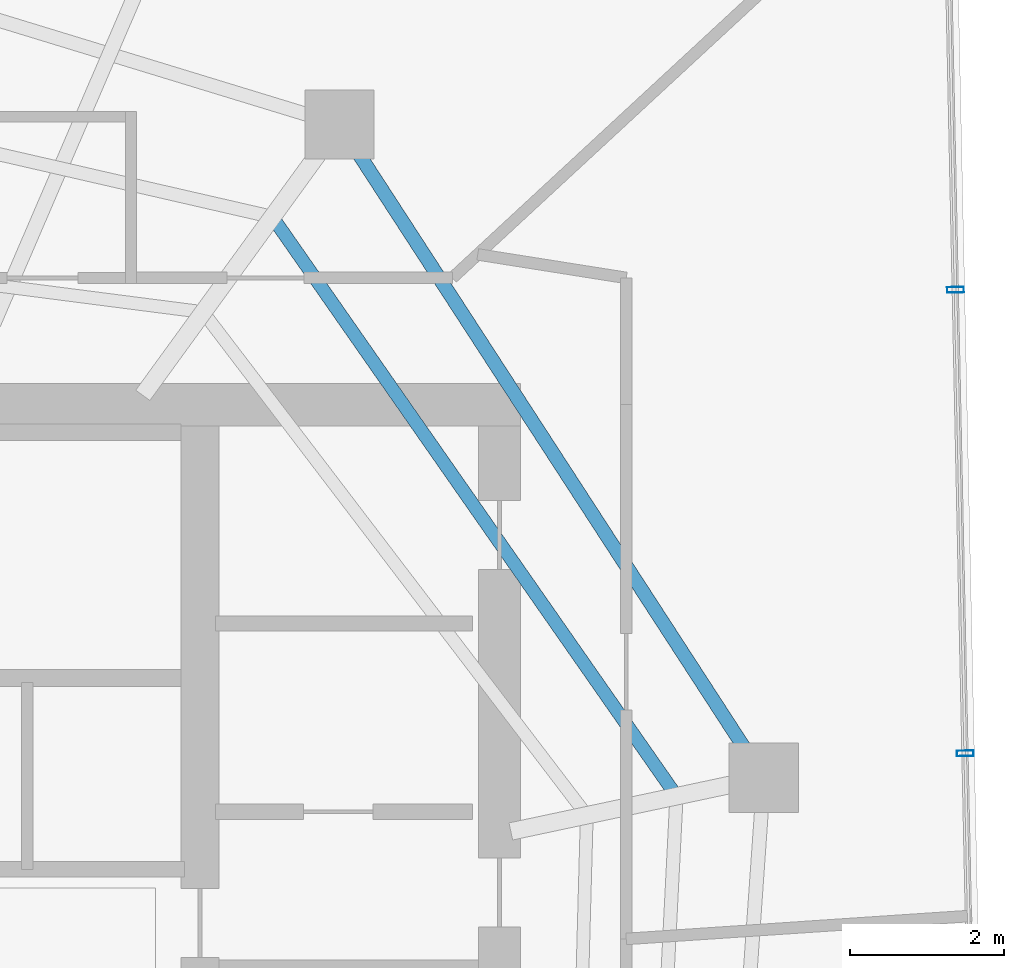
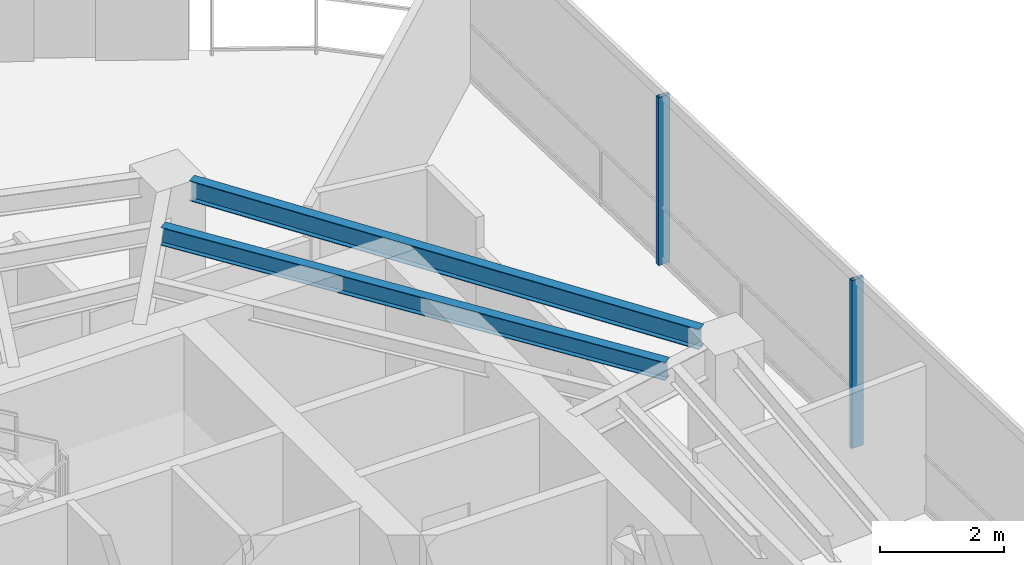
# One storey, part 9 of 19: 2 beams, 2 members, 1 element without a shape of its own.
"""IFC4 building model written with IfcOpenShell, lengths in metres."""

from ifc_helpers import new_model, si_unit, direction, frame, origin, origin_2d, place, context, subcontext, project, spatial, hollow_rectangle, i_section, extrude, material, layer, layer_set, material_profile, profile_set, type_object, element, aggregate, save


model = new_model("IFC4")

# Units and contexts
model_context = context("Model", 3, precision=1e-05, world=origin(), true_north=direction((0.0, 1.0)))
body_context = subcontext(model_context, "Body", "Model", "MODEL_VIEW")
ifc_project = project(units=[si_unit("LENGTHUNIT", "METRE"), si_unit("AREAUNIT", "SQUARE_METRE"), si_unit("VOLUMEUNIT", "CUBIC_METRE"), si_unit("PLANEANGLEUNIT", "RADIAN"), si_unit("MASSUNIT", "GRAM", prefix="KILO")], contexts=[model_context])

# Site, building, storey
site_placement = place(None, origin())
site = spatial("IfcSite", under=ifc_project, at=site_placement, CompositionType="ELEMENT")
building_placement = place(site_placement, origin())
building = spatial("IfcBuilding", under=site, at=building_placement, Name="Qarnah Convention Tower", CompositionType="ELEMENT")
storey_placement = place(building_placement, frame((0.0, 0.0, 184.199951171875)))
storey = spatial("IfcBuildingStorey", under=building, at=storey_placement, Name="L49", CompositionType="ELEMENT", Elevation=184.199951171875)

# Beams
ifc_material_1 = material(Name="Structural steel S355JR", Category="steel")
ifc_material_profile_1 = material_profile(ifc_material_1, i_section(OverallWidth=0.172119140625, OverallDepth=0.35595703125, WebThickness=0.007080078125, FlangeThickness=0.011962890625, at=origin_2d()), Name="W360X51")
ifc_profile_set_1 = profile_set([ifc_material_profile_1], Name="Structural steel S355JR")
beam_type_1 = type_object("IfcBeamType", Name="BM-JST-W360", PredefinedType="JOIST", material=ifc_profile_set_1)
beam_1_placement = place(storey_placement, frame((49.85400390625, 29.175048828125, 3.14208984375), z_axis=(-0.572298893937, 0.820045106076, 0.0), x_axis=(-0.820045106076, -0.572298893937, 0.0)))
element("IfcBeam", 1, at=beam_1_placement, inside=storey, type_object=beam_type_1, Name="L49 joist BM-L49-SJST-01", PredefinedType="JOIST", context=body_context, shape_type="SweptSolid", body=[
    extrude(i_section(OverallWidth=0.172119140625, OverallDepth=0.35595703125, WebThickness=0.007080078125, FlangeThickness=0.011962890625, at=origin_2d()), origin(), (0.0, 0.0, 1.0), 9.017822265625),
])
ifc_material_profile_2 = material_profile(ifc_material_1, i_section(OverallWidth=0.179931640625, OverallDepth=0.39990234375, WebThickness=0.009033203125, FlangeThickness=0.013916015625, at=origin_2d()), Name="IPE400")
ifc_profile_set_2 = profile_set([ifc_material_profile_2], Name="Structural steel S355JR")
beam_type_2 = type_object("IfcBeamType", Name="BM-SPN-IPE400", PredefinedType="SPANDREL", material=ifc_profile_set_2)
beam_2_placement = place(storey_placement, frame((50.801025390625, 29.7109375, 3.1201171875), z_axis=(-0.544586178954, 0.838704890705, 0.0), x_axis=(-0.838704890705, -0.544586178954, 0.0)))
element("IfcBeam", 2, at=beam_2_placement, inside=storey, type_object=beam_type_2, Name="L49 spandrel BM-L49-SPN-01", PredefinedType="SPANDREL", context=body_context, shape_type="SweptSolid", body=[
    extrude(i_section(OverallWidth=0.179931640625, OverallDepth=0.39990234375, WebThickness=0.009033203125, FlangeThickness=0.013916015625, at=origin_2d()), origin(), (0.0, 0.0, 1.0), 9.261962890625),
])

# Curtain wall, members
ifc_material_2 = material(Name="Tempered Low-E dark glass", Category="glass")
ifc_layer = layer(ifc_material_2, 0.174072265625)
ifc_layer_set = layer_set([ifc_layer], Name="Tempered Low-E dark glass")
curtain_wall_type = type_object("IfcCurtainWallType", Name="CWS-04", PredefinedType="NOTDEFINED", material=ifc_layer_set)
curtain_wall_placement = place(storey_placement, origin())
curtain_wall = element("IfcCurtainWall", 3, at=curtain_wall_placement, inside=storey, type_object=curtain_wall_type, Name="L49 unitised curtain wall CW-L49-F1", PredefinedType="NOTDEFINED")
ifc_material_3 = material(Name="Black anodised aluminium", Category="aluminium")
ifc_material_profile_3 = material_profile(ifc_material_3, hollow_rectangle(XDim=0.074951171875, YDim=0.219970703125, WallThickness=0.0048828125, at=origin_2d()), Name="MUL-75X220")
ifc_profile_set_3 = profile_set([ifc_material_profile_3], Name="Black anodised aluminium")
member_type = type_object("IfcMemberType", Name="MUL-T4", PredefinedType="MULLION", material=ifc_profile_set_3)
member_1_placement = place(storey_placement, frame((53.537353515625, 35.695556640625, 0.0), z_axis=(0.0, 0.0, 1.0), x_axis=(0.020935038759, -0.99978083806, 0.0)))
member_1 = element("IfcMember", 4, at=member_1_placement, type_object=member_type, Name="CW-L49-F1 mullion 2", PredefinedType="MULLION", context=body_context, shape_type="SweptSolid", body=[
    extrude(hollow_rectangle(XDim=0.074951171875, YDim=0.219970703125, WallThickness=0.0048828125, at=origin_2d()), origin(), (0.0, 0.0, 1.0), 3.320068359375),
])
member_2_placement = place(storey_placement, frame((53.663818359375, 29.6591796875, 0.0), z_axis=(0.0, 0.0, 1.0), x_axis=(0.020935038759, -0.99978083806, 0.0)))
member_2 = element("IfcMember", 5, at=member_2_placement, type_object=member_type, Name="CW-L49-F1 mullion 3", PredefinedType="MULLION", context=body_context, shape_type="SweptSolid", body=[
    extrude(hollow_rectangle(XDim=0.074951171875, YDim=0.219970703125, WallThickness=0.0048828125, at=origin_2d()), origin(), (0.0, 0.0, 1.0), 3.320068359375),
])
aggregate(curtain_wall, [member_1, member_2])

save(model, "model.ifc")
